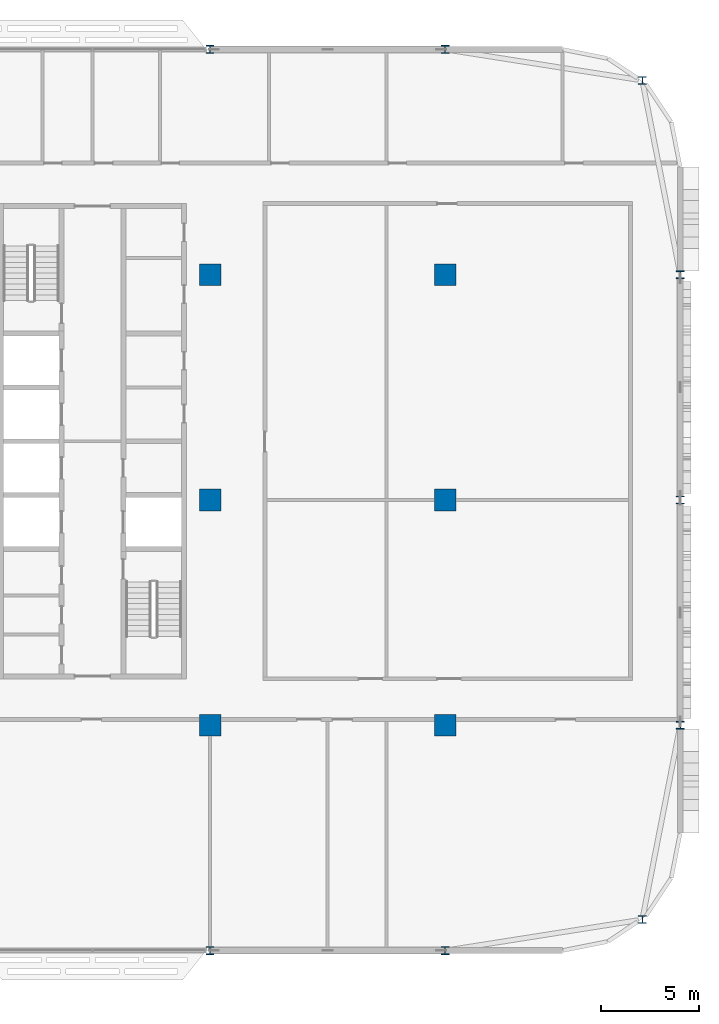
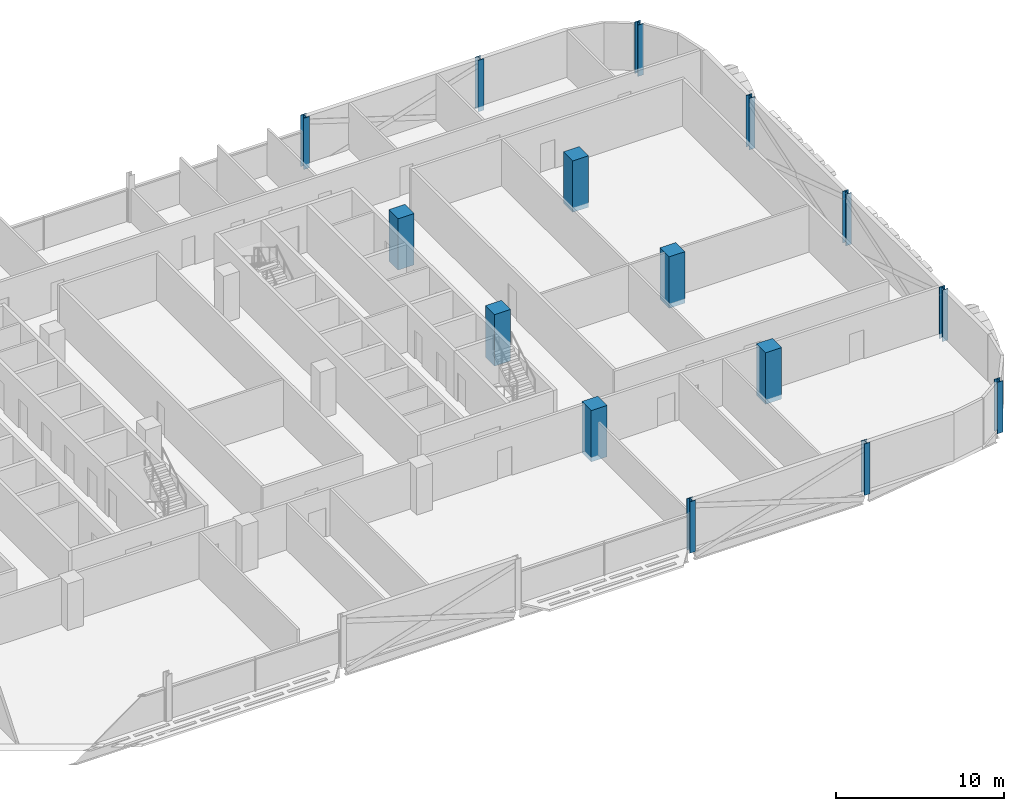
# One storey, part 3 of 30: 15 columns.
"""IFC4 building model written with IfcOpenShell, lengths in metres."""

from ifc_helpers import new_model, si_unit, direction, frame, origin, origin_2d, place, context, subcontext, project, spatial, rectangle, i_section, extrude, material, material_profile, profile_set, type_object, element, save


model = new_model("IFC4")

# Units and contexts
model_context = context("Model", 3, precision=1e-05, world=origin(), true_north=direction((0.0, 1.0)))
body_context = subcontext(model_context, "Body", "Model", "MODEL_VIEW")
ifc_project = project(units=[si_unit("LENGTHUNIT", "METRE"), si_unit("AREAUNIT", "SQUARE_METRE"), si_unit("VOLUMEUNIT", "CUBIC_METRE"), si_unit("PLANEANGLEUNIT", "RADIAN"), si_unit("MASSUNIT", "GRAM", prefix="KILO")], contexts=[model_context])

# Site, building, storey
site_placement = place(None, origin())
site = spatial("IfcSite", under=ifc_project, at=site_placement, CompositionType="ELEMENT")
building_placement = place(site_placement, origin())
building = spatial("IfcBuilding", under=site, at=building_placement, Name="Mahtab Terrace Research Tower", CompositionType="ELEMENT")
storey_placement = place(building_placement, frame((0.0, 0.0, 220.5)))
storey = spatial("IfcBuildingStorey", under=building, at=storey_placement, Name="L53", CompositionType="ELEMENT", Elevation=220.5)

# Columns
ifc_material_1 = material(Name="Concrete C70/85", Category="concrete")
ifc_material_profile_1 = material_profile(ifc_material_1, rectangle(XDim=1.10009765625, YDim=1.10009765625, at=origin_2d()), Name="RC column 1100x1100")
ifc_profile_set_1 = profile_set([ifc_material_profile_1], Name="Concrete C70/85")
column_type_1 = type_object("IfcColumnType", Name="RC column 1100x1100", PredefinedType="COLUMN", material=ifc_profile_set_1)
for number, where, z_axis, x_axis, name in (
    (1, (30.0, -11.5, -0.340087890625), (0.0, 0.0, 1.0), (1.0, 0.0, 0.0), "Column RC-7A L53"),
    (2, (30.0, 0.0, -0.340087890625), (0.0, 0.0, 1.0), (1.0, 0.0, 0.0), "Column RC-7B L53"),
    (3, (30.0, 11.5, -0.340087890625), (0.0, 0.0, 1.0), (1.0, 0.0, 0.0), "Column RC-7C L53"),
    (4, (42.0, -11.5, -0.340087890625), (0.0, 0.0, 1.0), (1.0, 0.0, 0.0), "Column RC-8A L53"),
    (5, (42.0, 0.0, -0.340087890625), (0.0, 0.0, 1.0), (1.0, 0.0, 0.0), "Column RC-8B L53"),
    (6, (42.0, 11.5, -0.340087890625), (0.0, 0.0, 1.0), (1.0, 0.0, 0.0), "Column RC-8C L53"),
):
    element("IfcColumn", number, at=place(storey_placement, frame(where, z_axis=z_axis, x_axis=x_axis)), inside=storey, type_object=column_type_1, Name=name, PredefinedType="COLUMN", context=body_context, shape_type="SweptSolid", body=[
        extrude(rectangle(XDim=1.10009765625, YDim=1.10009765625, at=origin_2d()), origin(), (0.0, 0.0, 1.0), 3.739990234375),
    ])
ifc_material_2 = material(Name="Steel ASTM A992 Gr 50", Category="steel")
ifc_material_profile_2 = material_profile(ifc_material_2, i_section(OverallWidth=0.4013671875, OverallDepth=0.398681640625, WebThickness=0.02490234375, FlangeThickness=0.03955078125, at=origin_2d()), Name="W14X211")
ifc_profile_set_2 = profile_set([ifc_material_profile_2], Name="Steel ASTM A992 Gr 50")
column_type_2 = type_object("IfcColumnType", Name="W14x211 column CS14211", PredefinedType="COLUMN", material=ifc_profile_set_2)
for number, where, z_axis, x_axis, name in (
    (7, (52.06201171875, 21.416015625, -0.340087890625), (0.0, 0.0, 1.0), (1.0, 0.0, 0.0), "Column SC-023 L53"),
    (8, (42.0, 23.0, -0.340087890625), (0.0, 0.0, 1.0), (1.0, 0.0, 0.0), "Column SC-001 L53"),
    (9, (30.0, 23.0, -0.340087890625), (0.0, 0.0, 1.0), (1.0, 0.0, 0.0), "Column SC-002 L53"),
    (10, (30.0, -23.0, -0.340087890625), (0.0, 0.0, 1.0), (1.0, 0.0, 0.0), "Column SC-018 L53"),
    (11, (42.0, -23.0, -0.340087890625), (0.0, 0.0, 1.0), (1.0, 0.0, 0.0), "Column SC-019 L53"),
    (12, (52.06201171875, -21.416015625, -0.340087890625), (0.0, 0.0, 1.0), (1.0, 0.0, 0.0), "Column SC-026 L53"),
    (13, (54.0, -11.5, -0.340087890625), (0.0, 0.0, 1.0), (1.0, 0.0, 0.0), "Column SC-027 L53"),
    (14, (54.0, 0.0, -0.340087890625), (0.0, 0.0, 1.0), (1.0, 0.0, 0.0), "Column SC-028 L53"),
    (15, (54.0, 11.5, -0.340087890625), (0.0, 0.0, 1.0), (1.0, 0.0, 0.0), "Column SC-029 L53"),
):
    element("IfcColumn", number, at=place(storey_placement, frame(where, z_axis=z_axis, x_axis=x_axis)), inside=storey, type_object=column_type_2, Name=name, PredefinedType="COLUMN", context=body_context, shape_type="SweptSolid", body=[
        extrude(i_section(OverallWidth=0.4013671875, OverallDepth=0.398681640625, WebThickness=0.02490234375, FlangeThickness=0.03955078125, at=origin_2d()), origin(), (0.0, 0.0, 1.0), 3.739990234375),
    ])

save(model, "model.ifc")
